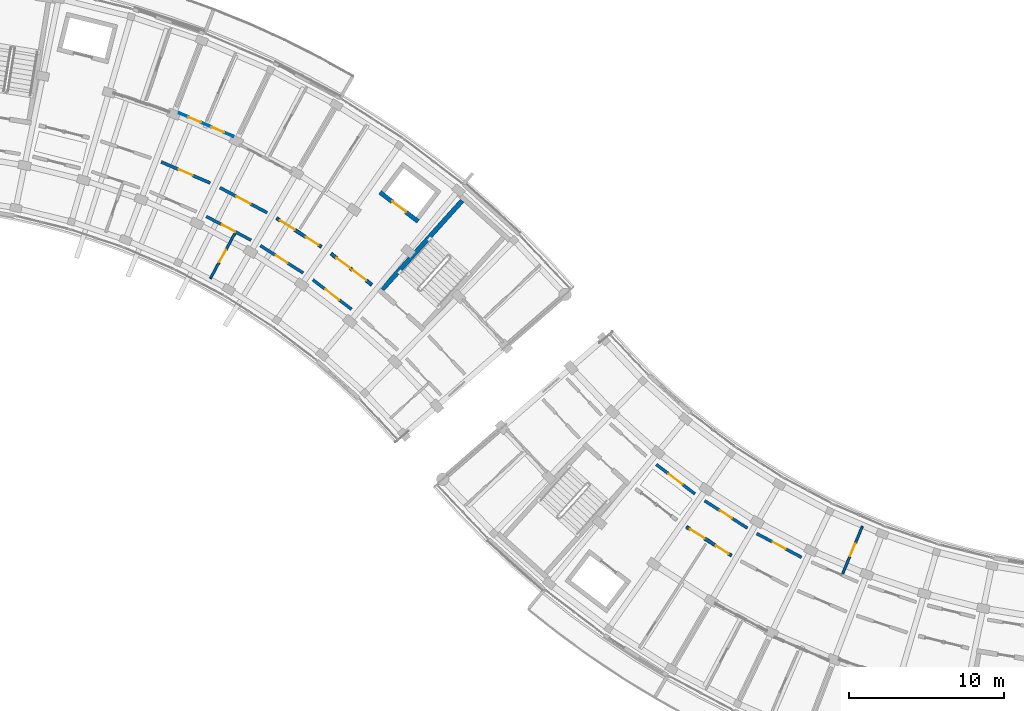
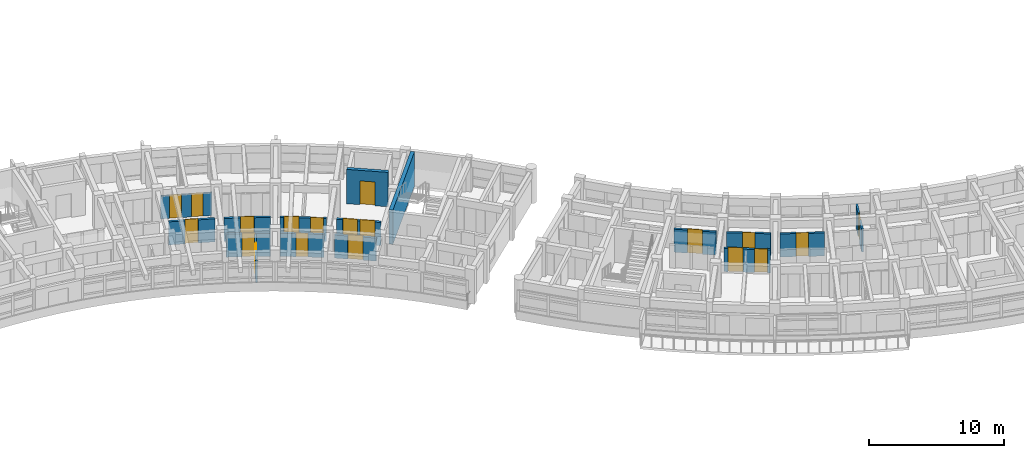
# One storey, part 35 of 54: 19 doors, 16 walls, 19 openings.
"""IFC4 building model written with IfcOpenShell, lengths in metres."""

from ifc_helpers import new_model, si_unit, direction, frame, frame_2d, origin, place, context, subcontext, project, spatial, rectangle, extrude, material, layer, layer_set, type_object, element, fill, save


model = new_model("IFC4")

# Units and contexts
model_context = context("Model", 3, precision=1e-05, world=origin(), true_north=direction((0.0, 1.0)))
body_context = subcontext(model_context, "Body", "Model", "MODEL_VIEW")
ifc_project = project(units=[si_unit("LENGTHUNIT", "METRE"), si_unit("AREAUNIT", "SQUARE_METRE"), si_unit("VOLUMEUNIT", "CUBIC_METRE"), si_unit("PLANEANGLEUNIT", "RADIAN"), si_unit("MASSUNIT", "GRAM", prefix="KILO")], contexts=[model_context])

# Site, building, storey
site_placement = place(None, origin())
site = spatial("IfcSite", under=ifc_project, at=site_placement, CompositionType="ELEMENT")
building_placement = place(site_placement, origin())
building = spatial("IfcBuilding", under=site, at=building_placement, Name="Zimvara Arc Housing Community", CompositionType="ELEMENT")
storey_placement = place(building_placement, frame((0.0, 0.0, 20.5)))
storey = spatial("IfcBuildingStorey", under=building, at=storey_placement, Name="L06", CompositionType="ELEMENT", Elevation=20.5)

# Wall, openings, doors
ifc_material_1 = material(Name="Concrete C35/45", Category="concrete")
ifc_layer_1 = layer(ifc_material_1, 0.2099609375)
ifc_layer_set_1 = layer_set([ifc_layer_1], Name="Concrete C35/45")
wall_type_1 = type_object("IfcWallType", Name="IWL-CCF-210", PredefinedType="SOLIDWALL", material=ifc_layer_set_1)
wall_1_placement = place(storey_placement, frame((74.356689453125, 85.755859375, 0.0), z_axis=(0.0, 0.0, 1.0), x_axis=(0.795498026433, -0.605956178235, 0.0)))
wall_1 = element("IfcWall", 1, at=wall_1_placement, inside=storey, type_object=wall_type_1, Name="iwall:blkB:L06:ll_div:b7", PredefinedType="SOLIDWALL", context=body_context, shape_type="SweptSolid", body=[
    extrude(rectangle(XDim=3.296142578125, YDim=0.2099609375, at=frame_2d((1.64794921875, 0.0))), origin(), (0.0, 0.0, 1.0), 2.080078125),
])
opening_1_placement = place(wall_1_placement, frame((0.449951171875, 0.0, 0.0)))
opening_1 = element("IfcOpeningElement", 2, at=opening_1_placement, cuts=wall_1, Name="Opening FD-CCF1", PredefinedType="OPENING", context=body_context, shape_type="SweptSolid", body=[
    extrude(rectangle(XDim=1.10009765625, YDim=2.14990234375, at=frame_2d((0.550048828125, 1.074951171875))), frame((0.0, 0.114990234375, 0.0), z_axis=(0.0, -1.0, 0.0), x_axis=(1.0, 0.0, 0.0)), (0.0, 0.0, 1.0), 0.22998046875),
])
opening_2_placement = place(wall_1_placement, frame((1.72607421875, 0.0, 0.0)))
opening_2 = element("IfcOpeningElement", 3, at=opening_2_placement, cuts=wall_1, Name="Opening D07", PredefinedType="OPENING", context=body_context, shape_type="SweptSolid", body=[
    extrude(rectangle(XDim=1.1201171875, YDim=2.14990234375, at=frame_2d((0.56005859375, 1.074951171875))), frame((0.0, 0.114990234375, 0.0), z_axis=(0.0, -1.0, 0.0), x_axis=(1.0, 0.0, 0.0)), (0.0, 0.0, 1.0), 0.22998046875),
])
ifc_material_2 = material(Name="Mozambican Hardwood", Category="wood")
door_type_1 = type_object("IfcDoorType", Name="IDR-AMN-1120x2150", OperationType="NOTDEFINED", PredefinedType="DOOR", material=ifc_material_2)
door_1_placement = place(opening_2_placement, origin())
door_1 = element("IfcDoor", 4, at=door_1_placement, inside=storey, type_object=door_type_1, Name="idoor:blkB:L06:rs_in:b7", OperationType="SINGLE_SWING_RIGHT", OverallHeight=2.14990234375, OverallWidth=1.1201171875, PredefinedType="DOOR", context=body_context, shape_type="SweptSolid", body=[
    extrude(rectangle(XDim=1.1201171875, YDim=2.14990234375, at=frame_2d((0.56005859375, 1.074951171875))), frame((0.0, 0.02490234375, 0.0), z_axis=(0.0, -1.0, 0.0), x_axis=(1.0, 0.0, 0.0)), (0.0, 0.0, 1.0), 0.050048828125),
])
fill(opening_2, door_1)
ifc_material_3 = material(Name="Anodised Aluminium AW-6063", Category="aluminium")
door_type_2 = type_object("IfcDoorType", Name="IDR-CCF-1100x2150", OperationType="NOTDEFINED", PredefinedType="DOOR", material=ifc_material_3)
door_2_placement = place(opening_1_placement, origin())
door_2 = element("IfcDoor", 5, at=door_2_placement, inside=storey, type_object=door_type_2, Name="idoor:blkB:L06:ll_in:b7", OperationType="SINGLE_SWING_LEFT", OverallHeight=2.14990234375, OverallWidth=1.10009765625, PredefinedType="DOOR", context=body_context, shape_type="SweptSolid", body=[
    extrude(rectangle(XDim=1.10009765625, YDim=2.14990234375, at=frame_2d((0.550048828125, 1.074951171875))), frame((0.0, 0.02490234375, 0.0), z_axis=(0.0, -1.0, 0.0), x_axis=(1.0, 0.0, 0.0)), (0.0, 0.0, 1.0), 0.050048828125),
])
fill(opening_1, door_2)

# Wall, opening, door
ifc_material_4 = material(Name="Concrete C35/45", Category="concrete")
ifc_layer_2 = layer(ifc_material_4, 0.18994140625)
ifc_layer_set_2 = layer_set([ifc_layer_2], Name="Concrete C35/45")
wall_type_2 = type_object("IfcWallType", Name="IWL-CORR-190", PredefinedType="SOLIDWALL", material=ifc_layer_set_2)
wall_2_placement = place(storey_placement, frame((66.30859375, 88.1650390625, 0.0), z_axis=(0.0, 0.0, 1.0), x_axis=(0.883444301944, -0.468536194293, 0.0)))
wall_2 = element("IfcWall", 6, at=wall_2_placement, inside=storey, type_object=wall_type_2, Name="iwall:blkB:L06:corr_in:b5", PredefinedType="SOLIDWALL", context=body_context, shape_type="SweptSolid", body=[
    extrude(rectangle(XDim=3.268798828125, YDim=0.18994140625, at=frame_2d((1.63427734375, 0.0))), origin(), (0.0, 0.0, 1.0), 2.080078125),
])
opening_3_placement = place(wall_2_placement, frame((1.154296875, 0.0, 0.0)))
opening_3 = element("IfcOpeningElement", 7, at=opening_3_placement, cuts=wall_2, Name="Opening D04", PredefinedType="OPENING", context=body_context, shape_type="SweptSolid", body=[
    extrude(rectangle(XDim=0.9599609375, YDim=2.10009765625, at=frame_2d((0.47998046875, 1.050048828125))), frame((0.0, 0.10498046875, 0.0), z_axis=(0.0, -1.0, 0.0), x_axis=(1.0, 0.0, 0.0)), (0.0, 0.0, 1.0), 0.2099609375),
])
ifc_material_5 = material(Name="Mozambican Hardwood", Category="wood")
door_type_3 = type_object("IfcDoorType", Name="IDR-RM-0960x2100", OperationType="NOTDEFINED", PredefinedType="DOOR", material=ifc_material_5)
door_3_placement = place(opening_3_placement, origin())
door_3 = element("IfcDoor", 8, at=door_3_placement, inside=storey, type_object=door_type_3, Name="idoor:blkB:L06:in_rm:b5", OperationType="SINGLE_SWING_RIGHT", OverallHeight=2.10009765625, OverallWidth=0.9599609375, PredefinedType="DOOR", context=body_context, shape_type="SweptSolid", body=[
    extrude(rectangle(XDim=0.9599609375, YDim=2.10009765625, at=frame_2d((0.47998046875, 1.050048828125))), frame((0.0, 0.02490234375, 0.0), z_axis=(0.0, -1.0, 0.0), x_axis=(1.0, 0.0, 0.0)), (0.0, 0.0, 1.0), 0.050048828125),
])
fill(opening_3, door_3)

wall_3_placement = place(storey_placement, frame((69.80029296875, 86.281005859375, 0.0), z_axis=(0.0, 0.0, 1.0), x_axis=(0.842225276846, -0.539125758095, 0.0)))
wall_3 = element("IfcWall", 9, at=wall_3_placement, inside=storey, type_object=wall_type_2, Name="iwall:blkB:L06:corr_in:b6", PredefinedType="SOLIDWALL", context=body_context, shape_type="SweptSolid", body=[
    extrude(rectangle(XDim=3.2685546875, YDim=0.18994140625, at=frame_2d((1.63427734375, 0.0))), origin(), (0.0, 0.0, 1.0), 2.080078125),
])
opening_4_placement = place(wall_3_placement, frame((1.184326171875, 0.0, 0.0)))
opening_4 = element("IfcOpeningElement", 10, at=opening_4_placement, cuts=wall_3, Name="Opening D01", PredefinedType="OPENING", context=body_context, shape_type="SweptSolid", body=[
    extrude(rectangle(XDim=0.89990234375, YDim=2.10009765625, at=frame_2d((0.449951171875, 1.050048828125))), frame((0.0, 0.10498046875, 0.0), z_axis=(0.0, -1.0, 0.0), x_axis=(1.0, 0.0, 0.0)), (0.0, 0.0, 1.0), 0.2099609375),
])
ifc_material_6 = material(Name="Mozambican Hardwood", Category="wood")
door_type_4 = type_object("IfcDoorType", Name="IDR-RM-0900x2100", OperationType="NOTDEFINED", PredefinedType="DOOR", material=ifc_material_6)
door_4_placement = place(opening_4_placement, origin())
door_4 = element("IfcDoor", 11, at=door_4_placement, inside=storey, type_object=door_type_4, Name="idoor:blkB:L06:in_rm:b6", OperationType="SINGLE_SWING_LEFT", OverallHeight=2.10009765625, OverallWidth=0.89990234375, PredefinedType="DOOR", context=body_context, shape_type="SweptSolid", body=[
    extrude(rectangle(XDim=0.89990234375, YDim=2.10009765625, at=frame_2d((0.449951171875, 1.050048828125))), frame((0.0, 0.02490234375, 0.0), z_axis=(0.0, -1.0, 0.0), x_axis=(1.0, 0.0, 0.0)), (0.0, 0.0, 1.0), 0.050048828125),
])
fill(opening_4, door_4)

wall_4_placement = place(storey_placement, frame((73.18212890625, 84.07568359375, 0.0), z_axis=(0.0, 0.0, 1.0), x_axis=(0.795501577908, -0.605951515838, 0.0)))
wall_4 = element("IfcWall", 12, at=wall_4_placement, inside=storey, type_object=wall_type_2, Name="iwall:blkB:L06:ra_div:b7", PredefinedType="SOLIDWALL", context=body_context, shape_type="SweptSolid", body=[
    extrude(rectangle(XDim=3.128662109375, YDim=0.18994140625, at=frame_2d((1.564453125, 0.0))), origin(), (0.0, 0.0, 1.0), 2.080078125),
])
opening_5_placement = place(wall_4_placement, frame((1.00439453125, 0.0, 0.0)))
opening_5 = element("IfcOpeningElement", 13, at=opening_5_placement, cuts=wall_4, Name="Opening D07", PredefinedType="OPENING", context=body_context, shape_type="SweptSolid", body=[
    extrude(rectangle(XDim=1.1201171875, YDim=2.14990234375, at=frame_2d((0.56005859375, 1.074951171875))), frame((0.0, 0.10498046875, 0.0), z_axis=(0.0, -1.0, 0.0), x_axis=(1.0, 0.0, 0.0)), (0.0, 0.0, 1.0), 0.2099609375),
])
door_5_placement = place(opening_5_placement, origin())
door_5 = element("IfcDoor", 14, at=door_5_placement, inside=storey, type_object=door_type_1, Name="idoor:blkB:L06:ra_d:b7", OperationType="SINGLE_SWING_LEFT", OverallHeight=2.14990234375, OverallWidth=1.1201171875, PredefinedType="DOOR", context=body_context, shape_type="SweptSolid", body=[
    extrude(rectangle(XDim=1.1201171875, YDim=2.14990234375, at=frame_2d((0.56005859375, 1.074951171875))), frame((0.0, 0.02490234375, 0.0), z_axis=(0.0, -1.0, 0.0), x_axis=(1.0, 0.0, 0.0)), (0.0, 0.0, 1.0), 0.050048828125),
])
fill(opening_5, door_5)

wall_5_placement = place(storey_placement, frame((95.30908203125, 72.18017578125, 0.0), z_axis=(0.0, 0.0, 1.0), x_axis=(0.795463961918, -0.606000895453, 0.0)))
wall_5 = element("IfcWall", 15, at=wall_5_placement, inside=storey, type_object=wall_type_2, Name="iwall:blkC:L06:ra_div:b2", PredefinedType="SOLIDWALL", context=body_context, shape_type="SweptSolid", body=[
    extrude(rectangle(XDim=3.128662109375, YDim=0.18994140625, at=frame_2d((1.564453125, 0.0))), origin(), (0.0, 0.0, 1.0), 2.080078125),
])
opening_6_placement = place(wall_5_placement, frame((1.00439453125, 0.0, 0.0)))
opening_6 = element("IfcOpeningElement", 16, at=opening_6_placement, cuts=wall_5, Name="Opening D07", PredefinedType="OPENING", context=body_context, shape_type="SweptSolid", body=[
    extrude(rectangle(XDim=1.1201171875, YDim=2.14990234375, at=frame_2d((0.56005859375, 1.074951171875))), frame((0.0, 0.10498046875, 0.0), z_axis=(0.0, -1.0, 0.0), x_axis=(1.0, 0.0, 0.0)), (0.0, 0.0, 1.0), 0.2099609375),
])
door_6_placement = place(opening_6_placement, origin())
door_6 = element("IfcDoor", 17, at=door_6_placement, inside=storey, type_object=door_type_1, Name="idoor:blkC:L06:ra_d:b2", OperationType="SINGLE_SWING_LEFT", OverallHeight=2.14990234375, OverallWidth=1.1201171875, PredefinedType="DOOR", context=body_context, shape_type="SweptSolid", body=[
    extrude(rectangle(XDim=1.1201171875, YDim=2.14990234375, at=frame_2d((0.56005859375, 1.074951171875))), frame((0.0, 0.02490234375, 0.0), z_axis=(0.0, -1.0, 0.0), x_axis=(1.0, 0.0, 0.0)), (0.0, 0.0, 1.0), 0.050048828125),
])
fill(opening_6, door_6)

wall_6_placement = place(storey_placement, frame((98.4267578125, 69.841064453125, 0.0), z_axis=(0.0, 0.0, 1.0), x_axis=(0.842280895761, -0.539038860043, 0.0)))
wall_6 = element("IfcWall", 18, at=wall_6_placement, inside=storey, type_object=wall_type_2, Name="iwall:blkC:L06:corr_in:b3", PredefinedType="SOLIDWALL", context=body_context, shape_type="SweptSolid", body=[
    extrude(rectangle(XDim=3.268798828125, YDim=0.18994140625, at=frame_2d((1.63427734375, 0.0))), origin(), (0.0, 0.0, 1.0), 2.080078125),
])
opening_7_placement = place(wall_6_placement, frame((1.17431640625, 0.0, 0.0)))
opening_7 = element("IfcOpeningElement", 19, at=opening_7_placement, cuts=wall_6, Name="Opening D02", PredefinedType="OPENING", context=body_context, shape_type="SweptSolid", body=[
    extrude(rectangle(XDim=0.919921875, YDim=2.10009765625, at=frame_2d((0.4599609375, 1.050048828125))), frame((0.0, 0.10498046875, 0.0), z_axis=(0.0, -1.0, 0.0), x_axis=(1.0, 0.0, 0.0)), (0.0, 0.0, 1.0), 0.2099609375),
])
ifc_material_7 = material(Name="Mozambican Hardwood", Category="wood")
door_type_5 = type_object("IfcDoorType", Name="IDR-RM-0920x2100", OperationType="NOTDEFINED", PredefinedType="DOOR", material=ifc_material_7)
door_7_placement = place(opening_7_placement, origin())
door_7 = element("IfcDoor", 20, at=door_7_placement, inside=storey, type_object=door_type_5, Name="idoor:blkC:L06:in_rm:b3", OperationType="SINGLE_SWING_RIGHT", OverallHeight=2.10009765625, OverallWidth=0.919921875, PredefinedType="DOOR", context=body_context, shape_type="SweptSolid", body=[
    extrude(rectangle(XDim=0.919921875, YDim=2.10009765625, at=frame_2d((0.4599609375, 1.050048828125))), frame((0.0, 0.02490234375, 0.0), z_axis=(0.0, -1.0, 0.0), x_axis=(1.0, 0.0, 0.0)), (0.0, 0.0, 1.0), 0.050048828125),
])
fill(opening_7, door_7)

wall_7_placement = place(storey_placement, frame((101.78369140625, 67.726318359375, 0.0), z_axis=(0.0, 0.0, 1.0), x_axis=(0.883444301944, -0.468536194293, 0.0)))
wall_7 = element("IfcWall", 21, at=wall_7_placement, inside=storey, type_object=wall_type_2, Name="iwall:blkC:L06:corr_in:b4", PredefinedType="SOLIDWALL", context=body_context, shape_type="SweptSolid", body=[
    extrude(rectangle(XDim=3.268798828125, YDim=0.18994140625, at=frame_2d((1.63427734375, 0.0))), origin(), (0.0, 0.0, 1.0), 2.080078125),
])
opening_8_placement = place(wall_7_placement, frame((1.164306640625, 0.0, 0.0)))
opening_8 = element("IfcOpeningElement", 22, at=opening_8_placement, cuts=wall_7, Name="Opening D03", PredefinedType="OPENING", context=body_context, shape_type="SweptSolid", body=[
    extrude(rectangle(XDim=0.93994140625, YDim=2.10009765625, at=frame_2d((0.469970703125, 1.050048828125))), frame((0.0, 0.10498046875, 0.0), z_axis=(0.0, -1.0, 0.0), x_axis=(1.0, 0.0, 0.0)), (0.0, 0.0, 1.0), 0.2099609375),
])
ifc_material_8 = material(Name="Mozambican Hardwood", Category="wood")
door_type_6 = type_object("IfcDoorType", Name="IDR-RM-0940x2100", OperationType="NOTDEFINED", PredefinedType="DOOR", material=ifc_material_8)
door_8_placement = place(opening_8_placement, origin())
door_8 = element("IfcDoor", 23, at=door_8_placement, inside=storey, type_object=door_type_6, Name="idoor:blkC:L06:in_rm:b4", OperationType="SINGLE_SWING_LEFT", OverallHeight=2.10009765625, OverallWidth=0.93994140625, PredefinedType="DOOR", context=body_context, shape_type="SweptSolid", body=[
    extrude(rectangle(XDim=0.93994140625, YDim=2.10009765625, at=frame_2d((0.469970703125, 1.050048828125))), frame((0.0, 0.02490234375, 0.0), z_axis=(0.0, -1.0, 0.0), x_axis=(1.0, 0.0, 0.0)), (0.0, 0.0, 1.0), 0.050048828125),
])
fill(opening_8, door_8)

ifc_material_9 = material(Name="Concrete C35/45", Category="concrete")
ifc_layer_3 = layer(ifc_material_9, 0.199951171875)
ifc_layer_set_3 = layer_set([ifc_layer_3], Name="Concrete C35/45")
wall_type_3 = type_object("IfcWallType", Name="IWL-CORR-200", PredefinedType="SOLIDWALL", material=ifc_layer_set_3)
wall_8_placement = place(storey_placement, frame((63.40673828125, 91.6728515625, 0.0), z_axis=(0.0, 0.0, 1.0), x_axis=(0.918718172399, -0.394913813008, 0.0)))
wall_8 = element("IfcWall", 24, at=wall_8_placement, inside=storey, type_object=wall_type_3, Name="iwall:blkB:L06:corr_out:b4", PredefinedType="SOLIDWALL", context=body_context, shape_type="SweptSolid", body=[
    extrude(rectangle(XDim=3.43603515625, YDim=0.199951171875, at=frame_2d((1.718017578125, 0.0))), origin(), (0.0, 0.0, 1.0), 2.080078125),
])
opening_9_placement = place(wall_8_placement, frame((1.22802734375, 0.0, 0.0)))
opening_9 = element("IfcOpeningElement", 25, at=opening_9_placement, cuts=wall_8, Name="Opening FD-FL1", PredefinedType="OPENING", context=body_context, shape_type="SweptSolid", body=[
    extrude(rectangle(XDim=0.97998046875, YDim=2.14990234375, at=frame_2d((0.489990234375, 1.074951171875))), frame((0.0, 0.10986328125, 0.0), z_axis=(0.0, -1.0, 0.0), x_axis=(1.0, 0.0, 0.0)), (0.0, 0.0, 1.0), 0.219970703125),
])
ifc_material_10 = material(Name="Mozambican Hardwood", Category="wood")
door_type_7 = type_object("IfcDoorType", Name="IDR-FLAT-0980x2150", OperationType="NOTDEFINED", PredefinedType="DOOR", material=ifc_material_10)
door_9_placement = place(opening_9_placement, origin())
door_9 = element("IfcDoor", 26, at=door_9_placement, inside=storey, type_object=door_type_7, Name="idoor:blkB:L06:flat:b4", OperationType="SINGLE_SWING_RIGHT", OverallHeight=2.14990234375, OverallWidth=0.97998046875, PredefinedType="DOOR", context=body_context, shape_type="SweptSolid", body=[
    extrude(rectangle(XDim=0.97998046875, YDim=2.14990234375, at=frame_2d((0.489990234375, 1.074951171875))), frame((0.0, 0.02490234375, 0.0), z_axis=(0.0, -1.0, 0.0), x_axis=(1.0, 0.0, 0.0)), (0.0, 0.0, 1.0), 0.050048828125),
])
fill(opening_9, door_9)

wall_9_placement = place(storey_placement, frame((67.1943359375, 90.013916015625, 0.0), z_axis=(0.0, 0.0, 1.0), x_axis=(0.883410853063, -0.468599258099, 0.0)))
wall_9 = element("IfcWall", 27, at=wall_9_placement, inside=storey, type_object=wall_type_3, Name="iwall:blkB:L06:corr_out:b5", PredefinedType="SOLIDWALL", context=body_context, shape_type="SweptSolid", body=[
    extrude(rectangle(XDim=3.43603515625, YDim=0.199951171875, at=frame_2d((1.718017578125, 0.0))), origin(), (0.0, 0.0, 1.0), 2.080078125),
])
opening_10_placement = place(wall_9_placement, frame((1.2080078125, 0.0, 0.0)))
opening_10 = element("IfcOpeningElement", 28, at=opening_10_placement, cuts=wall_9, Name="Opening FD-FL2", PredefinedType="OPENING", context=body_context, shape_type="SweptSolid", body=[
    extrude(rectangle(XDim=1.02001953125, YDim=2.14990234375, at=frame_2d((0.510009765625, 1.074951171875))), frame((0.0, 0.10986328125, 0.0), z_axis=(0.0, -1.0, 0.0), x_axis=(1.0, 0.0, 0.0)), (0.0, 0.0, 1.0), 0.219970703125),
])
ifc_material_11 = material(Name="Mozambican Hardwood", Category="wood")
door_type_8 = type_object("IfcDoorType", Name="IDR-FLAT-1020x2150", OperationType="NOTDEFINED", PredefinedType="DOOR", material=ifc_material_11)
door_10_placement = place(opening_10_placement, origin())
door_10 = element("IfcDoor", 29, at=door_10_placement, inside=storey, type_object=door_type_8, Name="idoor:blkB:L06:flat:b5", OperationType="SINGLE_SWING_LEFT", OverallHeight=2.14990234375, OverallWidth=1.02001953125, PredefinedType="DOOR", context=body_context, shape_type="SweptSolid", body=[
    extrude(rectangle(XDim=1.02001953125, YDim=2.14990234375, at=frame_2d((0.510009765625, 1.074951171875))), frame((0.0, 0.02490234375, 0.0), z_axis=(0.0, -1.0, 0.0), x_axis=(1.0, 0.0, 0.0)), (0.0, 0.0, 1.0), 0.050048828125),
])
fill(opening_10, door_10)

# Wall, openings, doors
wall_10_placement = place(storey_placement, frame((70.833740234375, 88.05126953125, 0.0), z_axis=(0.0, 0.0, 1.0), x_axis=(0.842257205985, -0.539075874963, 0.0)))
wall_10 = element("IfcWall", 30, at=wall_10_placement, inside=storey, type_object=wall_type_3, Name="iwall:blkB:L06:corr_out:b6", PredefinedType="SOLIDWALL", context=body_context, shape_type="SweptSolid", body=[
    extrude(rectangle(XDim=3.43603515625, YDim=0.199951171875, at=frame_2d((1.718017578125, 0.0))), origin(), (0.0, 0.0, 1.0), 2.080078125),
])
opening_11_placement = place(wall_10_placement, frame((0.280029296875, 0.0, 0.0)))
opening_11 = element("IfcOpeningElement", 31, at=opening_11_placement, cuts=wall_10, Name="Opening D07", PredefinedType="OPENING", context=body_context, shape_type="SweptSolid", body=[
    extrude(rectangle(XDim=1.1201171875, YDim=2.14990234375, at=frame_2d((0.56005859375, 1.074951171875))), frame((0.0, 0.10986328125, 0.0), z_axis=(0.0, -1.0, 0.0), x_axis=(1.0, 0.0, 0.0)), (0.0, 0.0, 1.0), 0.219970703125),
])
opening_12_placement = place(wall_10_placement, frame((2.26611328125, 0.0, 0.0)))
opening_12 = element("IfcOpeningElement", 32, at=opening_12_placement, cuts=wall_10, Name="Opening D06", PredefinedType="OPENING", context=body_context, shape_type="SweptSolid", body=[
    extrude(rectangle(XDim=0.949951171875, YDim=2.10009765625, at=frame_2d((0.47509765625, 1.050048828125))), frame((0.0, 0.10986328125, 0.0), z_axis=(0.0, -1.0, 0.0), x_axis=(1.0, 0.0, 0.0)), (0.0, 0.0, 1.0), 0.219970703125),
])
door_11_placement = place(opening_11_placement, origin())
door_11 = element("IfcDoor", 33, at=door_11_placement, inside=storey, type_object=door_type_1, Name="idoor:blkB:L06:amen:b6", OperationType="SINGLE_SWING_LEFT", OverallHeight=2.14990234375, OverallWidth=1.1201171875, PredefinedType="DOOR", context=body_context, shape_type="SweptSolid", body=[
    extrude(rectangle(XDim=1.1201171875, YDim=2.14990234375, at=frame_2d((0.56005859375, 1.074951171875))), frame((0.0, 0.02490234375, 0.0), z_axis=(0.0, -1.0, 0.0), x_axis=(1.0, 0.0, 0.0)), (0.0, 0.0, 1.0), 0.050048828125),
])
fill(opening_11, door_11)
ifc_material_12 = material(Name="Mozambican Hardwood", Category="wood")
door_type_9 = type_object("IfcDoorType", Name="IDR-AWC-0950x2100", OperationType="NOTDEFINED", PredefinedType="DOOR", material=ifc_material_12)
door_12_placement = place(opening_12_placement, origin())
door_12 = element("IfcDoor", 34, at=door_12_placement, inside=storey, type_object=door_type_9, Name="idoor:blkB:L06:cawc:b6", OperationType="SINGLE_SWING_RIGHT", OverallHeight=2.10009765625, OverallWidth=0.949951171875, PredefinedType="DOOR", context=body_context, shape_type="SweptSolid", body=[
    extrude(rectangle(XDim=0.949951171875, YDim=2.10009765625, at=frame_2d((0.47509765625, 1.050048828125))), frame((0.0, 0.02490234375, 0.0), z_axis=(0.0, -1.0, 0.0), x_axis=(1.0, 0.0, 0.0)), (0.0, 0.0, 1.0), 0.050048828125),
])
fill(opening_12, door_12)

wall_11_placement = place(storey_placement, frame((97.252197265625, 68.160888671875, 0.0), z_axis=(0.0, 0.0, 1.0), x_axis=(0.842289466461, -0.53902546757, 0.0)))
wall_11 = element("IfcWall", 35, at=wall_11_placement, inside=storey, type_object=wall_type_3, Name="iwall:blkC:L06:corr_out:b3", PredefinedType="SOLIDWALL", context=body_context, shape_type="SweptSolid", body=[
    extrude(rectangle(XDim=3.43603515625, YDim=0.199951171875, at=frame_2d((1.718017578125, 0.0))), origin(), (0.0, 0.0, 1.0), 2.080078125),
])
opening_13_placement = place(wall_11_placement, frame((0.280029296875, 0.0, 0.0)))
opening_13 = element("IfcOpeningElement", 36, at=opening_13_placement, cuts=wall_11, Name="Opening D07", PredefinedType="OPENING", context=body_context, shape_type="SweptSolid", body=[
    extrude(rectangle(XDim=1.1201171875, YDim=2.14990234375, at=frame_2d((0.56005859375, 1.074951171875))), frame((0.0, 0.10986328125, 0.0), z_axis=(0.0, -1.0, 0.0), x_axis=(1.0, 0.0, 0.0)), (0.0, 0.0, 1.0), 0.219970703125),
])
opening_14_placement = place(wall_11_placement, frame((2.26611328125, 0.0, 0.0)))
opening_14 = element("IfcOpeningElement", 37, at=opening_14_placement, cuts=wall_11, Name="Opening D06", PredefinedType="OPENING", context=body_context, shape_type="SweptSolid", body=[
    extrude(rectangle(XDim=0.949951171875, YDim=2.10009765625, at=frame_2d((0.47509765625, 1.050048828125))), frame((0.0, 0.10986328125, 0.0), z_axis=(0.0, -1.0, 0.0), x_axis=(1.0, 0.0, 0.0)), (0.0, 0.0, 1.0), 0.219970703125),
])
door_13_placement = place(opening_13_placement, origin())
door_13 = element("IfcDoor", 38, at=door_13_placement, inside=storey, type_object=door_type_1, Name="idoor:blkC:L06:amen:b3", OperationType="SINGLE_SWING_RIGHT", OverallHeight=2.14990234375, OverallWidth=1.1201171875, PredefinedType="DOOR", context=body_context, shape_type="SweptSolid", body=[
    extrude(rectangle(XDim=1.1201171875, YDim=2.14990234375, at=frame_2d((0.56005859375, 1.074951171875))), frame((0.0, 0.02490234375, 0.0), z_axis=(0.0, -1.0, 0.0), x_axis=(1.0, 0.0, 0.0)), (0.0, 0.0, 1.0), 0.050048828125),
])
fill(opening_13, door_13)
door_14_placement = place(opening_14_placement, origin())
door_14 = element("IfcDoor", 39, at=door_14_placement, inside=storey, type_object=door_type_9, Name="idoor:blkC:L06:cawc:b3", OperationType="SINGLE_SWING_LEFT", OverallHeight=2.10009765625, OverallWidth=0.949951171875, PredefinedType="DOOR", context=body_context, shape_type="SweptSolid", body=[
    extrude(rectangle(XDim=0.949951171875, YDim=2.10009765625, at=frame_2d((0.47509765625, 1.050048828125))), frame((0.0, 0.02490234375, 0.0), z_axis=(0.0, -1.0, 0.0), x_axis=(1.0, 0.0, 0.0)), (0.0, 0.0, 1.0), 0.050048828125),
])
fill(opening_14, door_14)

ifc_material_13 = material(Name="Painted Acoustic Plasterboard")
ifc_layer_4 = layer(ifc_material_13, 0.10498046875)
ifc_layer_set_4 = layer_set([ifc_layer_4], Name="Painted Acoustic Plasterboard")
wall_type_4 = type_object("IfcWallType", Name="IWL-PART-105", PredefinedType="PARTITIONING", material=ifc_layer_set_4)
wall_12_placement = place(storey_placement, frame((64.55712890625, 94.82177734375, 0.0), z_axis=(0.0, 0.0, 1.0), x_axis=(0.918726854017, -0.394893615684, 0.0)))
wall_12 = element("IfcWall", 40, at=wall_12_placement, inside=storey, type_object=wall_type_4, Name="iwall:blkB:L06:srv:b4", PredefinedType="PARTITIONING", context=body_context, shape_type="SweptSolid", body=[
    extrude(rectangle(XDim=3.8095703125, YDim=0.10498046875, at=frame_2d((1.90478515625, 0.0))), origin(), (0.0, 0.0, 1.0), 2.080078125),
])
opening_15_placement = place(wall_12_placement, frame((0.64990234375, 0.0, 0.0)))
opening_15 = element("IfcOpeningElement", 41, at=opening_15_placement, cuts=wall_12, Name="Opening D01", PredefinedType="OPENING", context=body_context, shape_type="SweptSolid", body=[
    extrude(rectangle(XDim=0.89990234375, YDim=2.10009765625, at=frame_2d((0.449951171875, 1.050048828125))), frame((0.0, 0.0625, 0.0), z_axis=(0.0, -1.0, 0.0), x_axis=(1.0, 0.0, 0.0)), (0.0, 0.0, 1.0), 0.125),
])
opening_16_placement = place(wall_12_placement, frame((2.279541015625, 0.0, 0.0)))
opening_16 = element("IfcOpeningElement", 42, at=opening_16_placement, cuts=wall_12, Name="Opening D05", PredefinedType="OPENING", context=body_context, shape_type="SweptSolid", body=[
    extrude(rectangle(XDim=0.8798828125, YDim=2.10009765625, at=frame_2d((0.43994140625, 1.050048828125))), frame((0.0, 0.0625, 0.0), z_axis=(0.0, -1.0, 0.0), x_axis=(1.0, 0.0, 0.0)), (0.0, 0.0, 1.0), 0.125),
])
door_15_placement = place(opening_15_placement, origin())
door_15 = element("IfcDoor", 43, at=door_15_placement, inside=storey, type_object=door_type_4, Name="idoor:blkB:L06:kit_liv:b4", OperationType="SINGLE_SWING_RIGHT", OverallHeight=2.10009765625, OverallWidth=0.89990234375, PredefinedType="DOOR", context=body_context, shape_type="SweptSolid", body=[
    extrude(rectangle(XDim=0.89990234375, YDim=2.10009765625, at=frame_2d((0.449951171875, 1.050048828125))), frame((0.0, 0.02490234375, 0.0), z_axis=(0.0, -1.0, 0.0), x_axis=(1.0, 0.0, 0.0)), (0.0, 0.0, 1.0), 0.050048828125),
])
fill(opening_15, door_15)
ifc_material_14 = material(Name="Mozambican Hardwood", Category="wood")
door_type_10 = type_object("IfcDoorType", Name="IDR-WC-0880x2100", OperationType="NOTDEFINED", PredefinedType="DOOR", material=ifc_material_14)
door_16_placement = place(opening_16_placement, origin())
door_16 = element("IfcDoor", 44, at=door_16_placement, inside=storey, type_object=door_type_10, Name="idoor:blkB:L06:bath_d:b4", OperationType="SINGLE_SWING_LEFT", OverallHeight=2.10009765625, OverallWidth=0.8798828125, PredefinedType="DOOR", context=body_context, shape_type="SweptSolid", body=[
    extrude(rectangle(XDim=0.8798828125, YDim=2.10009765625, at=frame_2d((0.43994140625, 1.050048828125))), frame((0.0, 0.02490234375, 0.0), z_axis=(0.0, -1.0, 0.0), x_axis=(1.0, 0.0, 0.0)), (0.0, 0.0, 1.0), 0.050048828125),
])
fill(opening_16, door_16)

# Wall, opening, door
ifc_material_15 = material(Name="Painted Acoustic Plasterboard")
ifc_layer_5 = layer(ifc_material_15, 0.14501953125)
ifc_layer_set_5 = layer_set([ifc_layer_5], Name="Painted Acoustic Plasterboard")
wall_type_5 = type_object("IfcWallType", Name="IWL-WET-145", PredefinedType="PARTITIONING", material=ifc_layer_set_5)
wall_13_placement = place(storey_placement, frame((66.57470703125, 84.16162109375, 0.0), z_axis=(0.0, 0.0, 1.0), x_axis=(0.477841058477, 0.878446311868, 0.0)))
wall_13 = element("IfcWall", 45, at=wall_13_placement, inside=storey, type_object=wall_type_5, Name="iwall:blkB:L06:ens:b5", PredefinedType="PARTITIONING", context=body_context, shape_type="SweptSolid", body=[
    extrude(rectangle(XDim=3.300048828125, YDim=0.14501953125, at=frame_2d((1.64990234375, 0.0))), origin(), (0.0, 0.0, 1.0), 2.080078125),
])
opening_17_placement = place(wall_13_placement, frame((1.2099609375, 0.0, 0.0)))
opening_17 = element("IfcOpeningElement", 46, at=opening_17_placement, cuts=wall_13, Name="Opening D05", PredefinedType="OPENING", context=body_context, shape_type="SweptSolid", body=[
    extrude(rectangle(XDim=0.8798828125, YDim=2.10009765625, at=frame_2d((0.43994140625, 1.050048828125))), frame((0.0, 0.08251953125, 0.0), z_axis=(0.0, -1.0, 0.0), x_axis=(1.0, 0.0, 0.0)), (0.0, 0.0, 1.0), 0.1650390625),
])
door_17_placement = place(opening_17_placement, origin())
door_17 = element("IfcDoor", 47, at=door_17_placement, inside=storey, type_object=door_type_10, Name="idoor:blkB:L06:ens_d:b5", OperationType="SINGLE_SWING_LEFT", OverallHeight=2.10009765625, OverallWidth=0.8798828125, PredefinedType="DOOR", context=body_context, shape_type="SweptSolid", body=[
    extrude(rectangle(XDim=0.8798828125, YDim=2.10009765625, at=frame_2d((0.43994140625, 1.050048828125))), frame((0.0, 0.02490234375, 0.0), z_axis=(0.0, -1.0, 0.0), x_axis=(1.0, 0.0, 0.0)), (0.0, 0.0, 1.0), 0.050048828125),
])
fill(opening_17, door_17)

wall_14_placement = place(storey_placement, frame((108.5888671875, 68.19384765625, 0.0), z_axis=(0.0, 0.0, 1.0), x_axis=(-0.385151143297, -0.922853507777, 0.0)))
wall_14 = element("IfcWall", 48, at=wall_14_placement, inside=storey, type_object=wall_type_5, Name="iwall:blkC:L06:ens:b5", PredefinedType="PARTITIONING", context=body_context, shape_type="SweptSolid", body=[
    extrude(rectangle(XDim=3.300048828125, YDim=0.14501953125, at=frame_2d((1.64990234375, 0.0))), origin(), (0.0, 0.0, 1.0), 2.080078125),
])
opening_18_placement = place(wall_14_placement, frame((1.2099609375, 0.0, 0.0)))
opening_18 = element("IfcOpeningElement", 49, at=opening_18_placement, cuts=wall_14, Name="Opening D05", PredefinedType="OPENING", context=body_context, shape_type="SweptSolid", body=[
    extrude(rectangle(XDim=0.8798828125, YDim=2.10009765625, at=frame_2d((0.43994140625, 1.050048828125))), frame((0.0, 0.08251953125, 0.0), z_axis=(0.0, -1.0, 0.0), x_axis=(1.0, 0.0, 0.0)), (0.0, 0.0, 1.0), 0.1650390625),
])
door_18_placement = place(opening_18_placement, origin())
door_18 = element("IfcDoor", 50, at=door_18_placement, inside=storey, type_object=door_type_10, Name="idoor:blkC:L06:ens_d:b5", OperationType="SINGLE_SWING_LEFT", OverallHeight=2.10009765625, OverallWidth=0.8798828125, PredefinedType="DOOR", context=body_context, shape_type="SweptSolid", body=[
    extrude(rectangle(XDim=0.8798828125, YDim=2.10009765625, at=frame_2d((0.43994140625, 1.050048828125))), frame((0.0, 0.02490234375, 0.0), z_axis=(0.0, -1.0, 0.0), x_axis=(1.0, 0.0, 0.0)), (0.0, 0.0, 1.0), 0.050048828125),
])
fill(opening_18, door_18)

ifc_material_16 = material(Name="Concrete C40/50", Category="concrete")
ifc_layer_6 = layer(ifc_material_16, 0.280029296875)
ifc_layer_set_6 = layer_set([ifc_layer_6], Name="Concrete C40/50")
wall_type_6 = type_object("IfcWallType", Name="WL-CORE-280", PredefinedType="SHEAR", material=ifc_layer_set_6)
wall_15_placement = place(storey_placement, frame((79.96142578125, 87.84375, 0.0), z_axis=(0.0, 0.0, 1.0), x_axis=(-0.795464365424, 0.606000365793, 0.0)))
wall_15 = element("IfcWall", 51, at=wall_15_placement, inside=storey, type_object=wall_type_6, Name="lwall:LP-B2:L06:front", PredefinedType="SHEAR", context=body_context, shape_type="SweptSolid", body=[
    extrude(rectangle(XDim=3.090087890625, YDim=0.280029296875, at=frame_2d((1.544921875, 0.0))), origin(), (0.0, 0.0, 1.0), 3.10009765625),
])
opening_19_placement = place(wall_15_placement, frame((0.9951171875, 0.0, 0.0)))
opening_19 = element("IfcOpeningElement", 52, at=opening_19_placement, cuts=wall_15, Name="Opening LD-LP-B2", PredefinedType="OPENING", context=body_context, shape_type="SweptSolid", body=[
    extrude(rectangle(XDim=1.10009765625, YDim=2.14990234375, at=frame_2d((0.550048828125, 1.074951171875))), frame((0.0, 0.14990234375, 0.0), z_axis=(0.0, -1.0, 0.0), x_axis=(1.0, 0.0, 0.0)), (0.0, 0.0, 1.0), 0.300048828125),
])
ifc_material_17 = material(Name="Anodised Aluminium AW-6063", Category="aluminium")
door_type_11 = type_object("IfcDoorType", Name="IDR-LD-1100x2150", OperationType="DOUBLE_DOOR_SLIDING", PredefinedType="DOOR", material=ifc_material_17)
door_19_placement = place(opening_19_placement, origin())
door_19 = element("IfcDoor", 53, at=door_19_placement, inside=storey, type_object=door_type_11, Name="Lift LP-B2 Sliding Landing Door L06", OperationType="DOUBLE_DOOR_SLIDING", OverallHeight=2.14990234375, OverallWidth=1.10009765625, PredefinedType="DOOR", context=body_context, shape_type="SweptSolid", body=[
    extrude(rectangle(XDim=1.10009765625, YDim=2.14990234375, at=frame_2d((0.550048828125, 1.074951171875))), frame((0.0, 0.02490234375, 0.0), z_axis=(0.0, -1.0, 0.0), x_axis=(1.0, 0.0, 0.0)), (0.0, 0.0, 1.0), 0.050048828125),
])
fill(opening_19, door_19)

# Wall
ifc_material_18 = material(Name="Concrete C40/50", Category="concrete")
ifc_layer_7 = layer(ifc_material_18, 0.300048828125)
ifc_layer_set_7 = layer_set([ifc_layer_7], Name="Concrete C40/50")
wall_type_7 = type_object("IfcWallType", Name="WL-CORE-300", PredefinedType="SHEAR", material=ifc_layer_set_7)
wall_16_placement = place(storey_placement, frame((77.655029296875, 83.461181640625, 0.0), z_axis=(0.0, 0.0, 1.0), x_axis=(0.668868253964, 0.743380964808, 0.0)))
element("IfcWall", 54, at=wall_16_placement, inside=storey, type_object=wall_type_7, Name="cwall:ST-B2:L06:right", PredefinedType="SHEAR", context=body_context, shape_type="SweptSolid", body=[
    extrude(rectangle(XDim=7.68994140625, YDim=0.300048828125, at=frame_2d((3.844970703125, 0.0))), origin(), (0.0, 0.0, 1.0), 3.10009765625),
])

save(model, "model.ifc")
